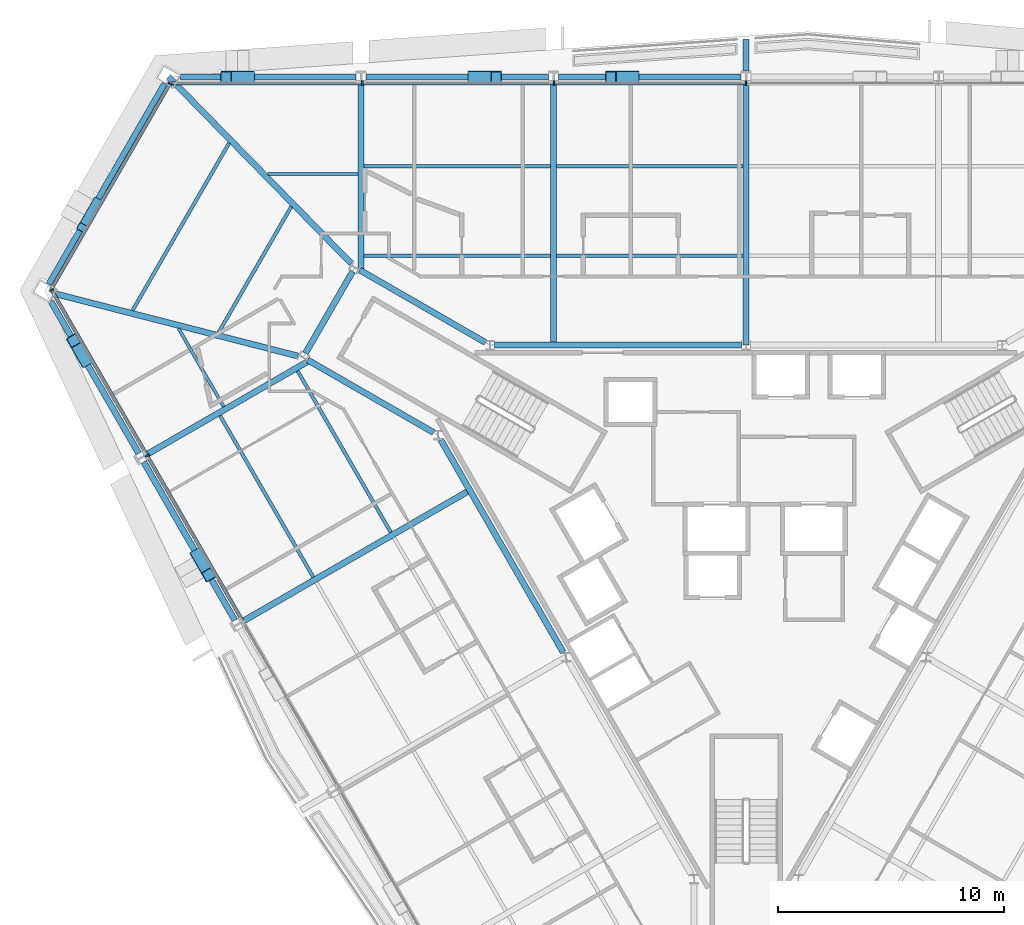
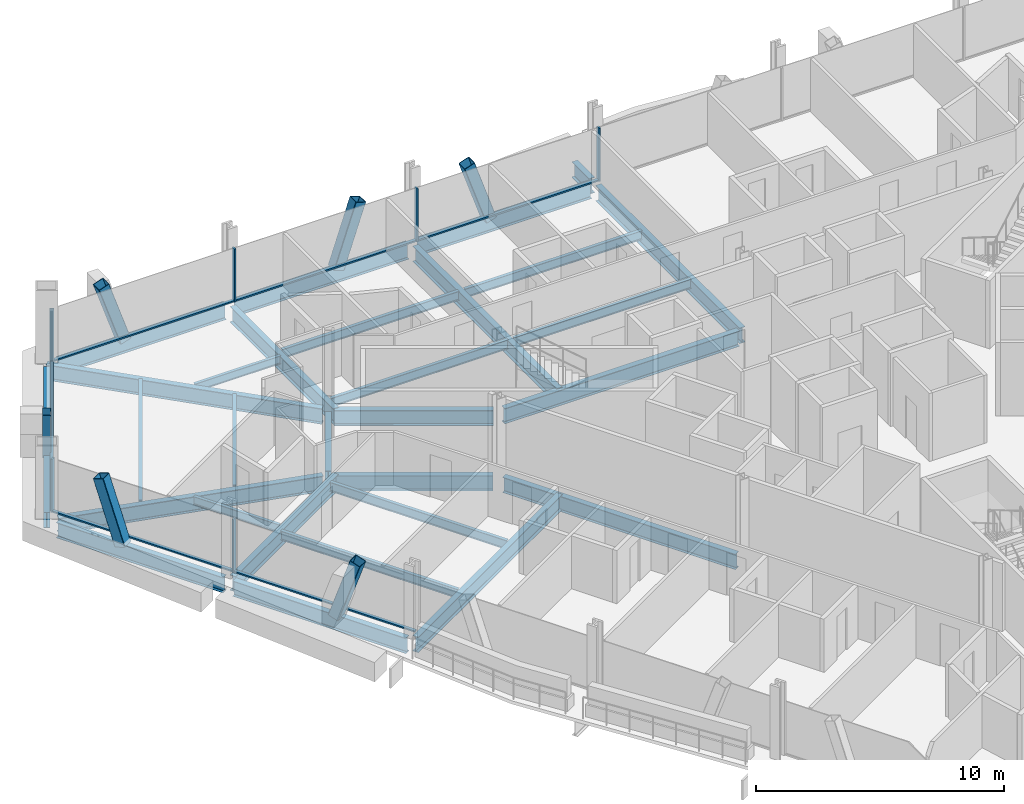
# One storey, part 5 of 17: 29 beams, 18 members, 3 elements without a shape of their own.
"""IFC4 building model written with IfcOpenShell, lengths in metres."""

import ifcopenshell
import ifcopenshell.guid

model = None  # the IFC model being written
_history = None  # IfcOwnerHistory: only IFC2X3 demands one
_inside = {}  # id of a spatial element -> (the spatial element, [elements in it])
_under = {}  # id of a project, library or spatial element -> (it, [spatial elements below it])
_declared = {}  # id of a project -> (the project, [libraries it declares])
_typed = {}  # id of a type object -> (the type object, [elements of that type])
_made_of = {}  # id of a material, layer set ... -> (it, [elements and type objects made of it])


def new_model(schema):
    """Start an empty IFC model of exactly this schema.

    Asked for "IFC4X3", IfcOpenShell would pick the latest addendum, in which some entities
    have other attributes; the version numbers below select the first issue.
    IFC2X3 requires an IfcOwnerHistory on every rooted entity: one is made here for all.
    """
    global model, _history
    if schema == "IFC4X3":
        model = ifcopenshell.file(schema_version=(4, 3, 0, 0))
    else:
        model = ifcopenshell.file(schema=schema)
    _inside.clear()
    _under.clear()
    _declared.clear()
    _typed.clear()
    _made_of.clear()
    _history = None
    if model.schema == "IFC2X3":
        org = make("IfcOrganization", Name="unknown")
        user = make(
            "IfcPersonAndOrganization",
            ThePerson=make("IfcPerson", FamilyName="unknown"),
            TheOrganization=org,
        )
        app = make(
            "IfcApplication",
            ApplicationDeveloper=org,
            Version="unknown",
            ApplicationFullName="unknown",
            ApplicationIdentifier="unknown",
        )
        _history = make(
            "IfcOwnerHistory",
            OwningUser=user,
            OwningApplication=app,
            ChangeAction="ADDED",
            CreationDate=0,
        )
    return model


def make(cls, **values):
    """One entity of the class cls with the attributes given. An attribute that is None is left unset."""
    return model.create_entity(
        cls, **{name: value for name, value in values.items() if value is not None}
    )


def rooted(cls, **values):
    """An entity with a GlobalId (a new one), such as an element, a storey or a relation."""
    return make(cls, GlobalId=ifcopenshell.guid.new(), OwnerHistory=_history, **values)


def si_unit(unit_type, name, prefix=None):
    """IfcSIUnit, for example si_unit("LENGTHUNIT", "METRE", prefix="MILLI")."""
    return make("IfcSIUnit", UnitType=unit_type, Prefix=prefix, Name=name)


def assignment(units):
    """IfcUnitAssignment: the units of a project."""
    return None if units is None else make("IfcUnitAssignment", Units=units)


def point(xyz):
    """IfcCartesianPoint."""
    return None if xyz is None else make("IfcCartesianPoint", Coordinates=xyz)


def direction(xyz):
    """IfcDirection."""
    return None if xyz is None else make("IfcDirection", DirectionRatios=xyz)


def frame(location, z_axis=None, x_axis=None):
    """IfcAxis2Placement3D, a coordinate frame: its origin and axes. An axis left out is left unset."""
    return make(
        "IfcAxis2Placement3D",
        Location=point(location),
        Axis=direction(z_axis),
        RefDirection=direction(x_axis),
    )


def frame_2d(location, x_axis=None):
    """IfcAxis2Placement2D, a coordinate frame in the plane: its origin and x axis."""
    return make(
        "IfcAxis2Placement2D", Location=point(location), RefDirection=direction(x_axis)
    )


def origin():
    """The frame at (0, 0, 0) with its axes left unset."""
    return frame((0.0, 0.0, 0.0))


def origin_2d():
    """The frame at (0, 0) in the plane with its x axis left unset."""
    return frame_2d((0.0, 0.0))


def place(relative_to, where):
    """IfcLocalPlacement: puts the frame where relative to a parent placement (None: the world)."""
    return make(
        "IfcLocalPlacement", PlacementRelTo=relative_to, RelativePlacement=where
    )


def context(
    kind, dimensions, precision=None, world=None, true_north=None, identifier=None
):
    """IfcGeometricRepresentationContext, for example the 3D "Model" context."""
    return make(
        "IfcGeometricRepresentationContext",
        ContextIdentifier=identifier,
        ContextType=kind,
        CoordinateSpaceDimension=dimensions,
        Precision=precision,
        WorldCoordinateSystem=world,
        TrueNorth=true_north,
    )


def subcontext(parent, identifier, kind, view, scale=None):
    """IfcGeometricRepresentationSubContext, for example "Body" below "Model"."""
    return make(
        "IfcGeometricRepresentationSubContext",
        ContextIdentifier=identifier,
        ContextType=kind,
        ParentContext=parent,
        TargetScale=scale,
        TargetView=view,
    )


def project(units=None, contexts=None):
    """IfcProject with its units and contexts."""
    return rooted(
        "IfcProject",
        Name="project",
        RepresentationContexts=contexts,
        UnitsInContext=assignment(units),
    )


def spatial(cls, under=None, at=None, **own):
    """A site, building, storey or space (cls), placed at a placement, below another one or the project."""
    s = rooted(cls, ObjectPlacement=at, **own)
    if under is not None:
        _under.setdefault(under.id(), (under, []))[1].append(s)
    return s


def profile(cls, at=None, kind="AREA", **sizes):
    """A parametric profile (cls). Its sizes go by their IFC names, for example OverallWidth=200.0."""
    return make(cls, ProfileType=kind, Position=at, **sizes)


def rectangle(**sizes):
    """IfcRectangleProfileDef."""
    return profile("IfcRectangleProfileDef", **sizes)


def hollow_rectangle(**sizes):
    """IfcRectangleHollowProfileDef."""
    return profile("IfcRectangleHollowProfileDef", **sizes)


def i_section(**sizes):
    """IfcIShapeProfileDef."""
    return profile("IfcIShapeProfileDef", **sizes)


def extrude(swept, where, along, depth):
    """IfcExtrudedAreaSolid: the profile swept, set in the frame where, extruded along a direction by depth."""
    return make(
        "IfcExtrudedAreaSolid",
        SweptArea=swept,
        Position=where,
        ExtrudedDirection=direction(along),
        Depth=depth,
    )


def shape(context_of_items, identifier, shape_type, items):
    """IfcShapeRepresentation: the items that make up one representation, for example the "Body"."""
    return make(
        "IfcShapeRepresentation",
        ContextOfItems=context_of_items,
        RepresentationIdentifier=identifier,
        RepresentationType=shape_type,
        Items=items,
    )


def material(Name=None, Category=None):
    """IfcMaterial."""
    return make("IfcMaterial", Name=Name, Category=Category)


def material_profile(
    of_material, cross_section, Name=None, Category=None, Priority=None
):
    """IfcMaterialProfile: a cross section and its material."""
    return make(
        "IfcMaterialProfile",
        Name=Name,
        Material=of_material,
        Profile=cross_section,
        Priority=Priority,
        Category=Category,
    )


def profile_set(profiles, Name=None, composite=None):
    """IfcMaterialProfileSet."""
    return make(
        "IfcMaterialProfileSet",
        Name=Name,
        MaterialProfiles=profiles,
        CompositeProfile=composite,
    )


def made_of(thing, what):
    """Note that an element or type object is made of a material, layer set ...; save() writes the relation."""
    if what is not None:
        _made_of.setdefault(what.id(), (what, []))[1].append(thing)
    return thing


def type_object(cls, material=None, **own):
    """A type object (cls), such as IfcWallType, which elements share."""
    return made_of(rooted(cls, **own), material)


def element(
    cls,
    number,
    at=None,
    inside=None,
    cuts=None,
    type_object=None,
    material=None,
    context=None,
    identifier="Body",
    shape_type=None,
    held_by="IfcProductDefinitionShape",
    body=None,
    shapes=None,
    **own,
):
    """One element of the class cls, such as IfcWall. Its Tag is "e" and its number.

    at: its placement. inside: the storey or other place that contains it. cuts: it is an
    opening in that element (IfcRelVoidsElement). A single representation is given by context,
    identifier, shape_type and body (its items); several are given by shapes. held_by: the class
    of the entity that holds the representations. save() writes the other relations.
    """
    e = rooted(cls, Tag="e%d" % number, ObjectPlacement=at, **own)
    if body is not None:
        shapes = [shape(context, identifier, shape_type, body)]
    if shapes is not None:
        e.Representation = make(held_by, Representations=shapes)
    if inside is not None:
        _inside.setdefault(inside.id(), (inside, []))[1].append(e)
    if cuts is not None:
        rooted(
            "IfcRelVoidsElement", RelatingBuildingElement=cuts, RelatedOpeningElement=e
        )
    if type_object is not None:
        _typed.setdefault(type_object.id(), (type_object, []))[1].append(e)
    return made_of(e, material)


def aggregate(whole, parts):
    """IfcRelAggregates: a whole, such as a stair, and the parts it consists of."""
    return rooted("IfcRelAggregates", RelatingObject=whole, RelatedObjects=parts)


def save(model, path):
    """Write the relations noted so far, then the file.

    IfcRelAggregates (storeys below a building ...), IfcRelContainedInSpatialStructure (elements
    in a storey), IfcRelDefinesByType, IfcRelAssociatesMaterial and IfcRelDeclares: one each for
    every whole, place, type object, material and project.
    """
    for whole, parts in _under.values():
        aggregate(whole, parts)
    for where, things in _inside.values():
        rooted(
            "IfcRelContainedInSpatialStructure",
            RelatedElements=things,
            RelatingStructure=where,
        )
    for kind, things in _typed.values():
        rooted("IfcRelDefinesByType", RelatedObjects=things, RelatingType=kind)
    for what, things in _made_of.values():
        rooted("IfcRelAssociatesMaterial", RelatedObjects=things, RelatingMaterial=what)
    for by, libraries in _declared.values():
        rooted("IfcRelDeclares", RelatingContext=by, RelatedDefinitions=libraries)
    model.write(path)


model = new_model("IFC4")

# Units and contexts
model_context = context("Model", 3, precision=1e-05, world=origin(), true_north=direction((0.0, 1.0)))
body_context = subcontext(model_context, "Body", "Model", "MODEL_VIEW")
ifc_project = project(units=[si_unit("LENGTHUNIT", "METRE"), si_unit("AREAUNIT", "SQUARE_METRE"), si_unit("VOLUMEUNIT", "CUBIC_METRE"), si_unit("PLANEANGLEUNIT", "RADIAN"), si_unit("MASSUNIT", "GRAM", prefix="KILO")], contexts=[model_context])

# Site, building, storey
site_placement = place(None, origin())
site = spatial("IfcSite", under=ifc_project, at=site_placement, CompositionType="ELEMENT")
building_placement = place(site_placement, origin())
building = spatial("IfcBuilding", under=site, at=building_placement, Name="Verrane Prism Tower", CompositionType="ELEMENT")
storey_placement = place(building_placement, frame((0.0, 0.0, 51.199951171875)))
storey = spatial("IfcBuildingStorey", under=building, at=storey_placement, Name="L10", CompositionType="ELEMENT", Elevation=51.199951171875)

# Member
ifc_material_1 = material(Name="Steel A500 Grade C", Category="steel")
ifc_material_profile_1 = material_profile(ifc_material_1, hollow_rectangle(XDim=0.355712890625, YDim=0.355712890625, WallThickness=0.0126953125, InnerFilletRadius=0.00634765625, OuterFilletRadius=0.01904296875, at=origin_2d()), Name="HSS14x14x1/2")
ifc_profile_set_1 = profile_set([ifc_material_profile_1], Name="Steel A500 Grade C")
member_type_1 = type_object("IfcMemberType", Name="Chamfer brace HSS14x14x1/2", PredefinedType="BRACE", material=ifc_profile_set_1)
member_1_placement = place(storey_placement, frame((-28.740478515625, 15.54052734375, -0.2451171875), z_axis=(-0.199091567031, -0.34501748339, 0.917237964812), x_axis=(0.866138836121, -0.499803477943, 0.0)))
element("IfcMember", 1, at=member_1_placement, inside=storey, type_object=member_type_1, Name="Chamfer brace NW0 L10", PredefinedType="BRACE", context=body_context, shape_type="SweptSolid", body=[
    extrude(hollow_rectangle(XDim=0.355712890625, YDim=0.355712890625, WallThickness=0.0126953125, InnerFilletRadius=0.00634765625, OuterFilletRadius=0.01904296875, at=origin_2d()), origin(), (0.0, 0.0, 1.0), 3.274169921875),
])

# Beams
ifc_material_2 = material(Name="Steel A992", Category="steel")
ifc_material_profile_2 = material_profile(ifc_material_2, i_section(OverallWidth=0.2666015625, OverallDepth=0.76708984375, WebThickness=0.014892578125, FlangeThickness=0.023681640625, FilletRadius=0.0166015625, at=origin_2d()), Name="W30x124")
ifc_profile_set_2 = profile_set([ifc_material_profile_2], Name="Steel A992")
beam_type_1 = type_object("IfcBeamType", Name="Chamfer spandrel beam W30x124", PredefinedType="SPANDREL", material=ifc_profile_set_2)
beam_1_placement = place(storey_placement, frame((-25.724853515625, 20.766845703125, -0.54345703125), z_axis=(-0.499796720239, -0.866142735603, 0.0), x_axis=(0.866142735603, -0.499796720239, 0.0)))
element("IfcBeam", 2, at=beam_1_placement, inside=storey, type_object=beam_type_1, Name="Chamfer spandrel beam L10", PredefinedType="SPANDREL", context=body_context, shape_type="SweptSolid", body=[
    extrude(i_section(OverallWidth=0.2666015625, OverallDepth=0.76708984375, WebThickness=0.014892578125, FlangeThickness=0.023681640625, FilletRadius=0.0166015625, at=origin_2d()), origin(), (0.0, 0.0, 1.0), 10.244873046875),
])
ifc_material_3 = material(Name="Steel A992", Category="steel")
ifc_material_profile_3 = material_profile(ifc_material_3, i_section(OverallWidth=0.2666015625, OverallDepth=0.7568359375, WebThickness=0.013916015625, FlangeThickness=0.019287109375, FilletRadius=0.0166015625, at=origin_2d()), Name="W30x108")
ifc_profile_set_3 = profile_set([ifc_material_profile_3], Name="Steel A992")
beam_type_2 = type_object("IfcBeamType", Name="Core ring girder W30x108", PredefinedType="BEAM", material=ifc_profile_set_3)
beam_2_placement = place(storey_placement, frame((-0.203125, 9.199951171875, -0.62841796875), z_axis=(-1.0, 0.0, 0.0), x_axis=(0.0, -1.0, 0.0)))
element("IfcBeam", 3, at=beam_2_placement, inside=storey, type_object=beam_type_2, Name="Core ring girder L10", PredefinedType="BEAM", context=body_context, shape_type="SweptSolid", body=[
    extrude(i_section(OverallWidth=0.2666015625, OverallDepth=0.7568359375, WebThickness=0.013916015625, FlangeThickness=0.019287109375, FilletRadius=0.0166015625, at=origin_2d()), origin(), (0.0, 0.0, 1.0), 10.923583984375),
])
beam_3_placement = place(storey_placement, frame((-11.533203125, 9.317138671875, -0.62841796875), z_axis=(-0.866447229751, 0.499268663203, 0.0), x_axis=(-0.499268663203, -0.866447229751, 0.0)))
element("IfcBeam", 4, at=beam_3_placement, inside=storey, type_object=beam_type_2, Name="Core ring girder L10", PredefinedType="BEAM", context=body_context, shape_type="SweptSolid", body=[
    extrude(i_section(OverallWidth=0.2666015625, OverallDepth=0.7568359375, WebThickness=0.013916015625, FlangeThickness=0.019287109375, FilletRadius=0.0166015625, at=origin_2d()), origin(), (0.0, 0.0, 1.0), 6.428466796875),
])
beam_4_placement = place(storey_placement, frame((-17.40478515625, 12.45849609375, -0.62841796875), z_axis=(-0.500349643494, -0.865823442888, 0.0), x_axis=(0.865823442888, -0.500349643494, 0.0)))
element("IfcBeam", 5, at=beam_4_placement, inside=storey, type_object=beam_type_2, Name="Core ring girder L10", PredefinedType="BEAM", context=body_context, shape_type="SweptSolid", body=[
    extrude(i_section(OverallWidth=0.2666015625, OverallDepth=0.7568359375, WebThickness=0.013916015625, FlangeThickness=0.019287109375, FilletRadius=0.0166015625, at=origin_2d()), origin(), (0.0, 0.0, 1.0), 4.177734375),
])
beam_5_placement = place(storey_placement, frame((-19.403076171875, 8.54638671875, -0.62841796875), z_axis=(0.86646365882, -0.499240150574, 0.0), x_axis=(0.499240150574, 0.86646365882, 0.0)))
element("IfcBeam", 6, at=beam_5_placement, inside=storey, type_object=beam_type_2, Name="Core ring girder L10", PredefinedType="BEAM", context=body_context, shape_type="SweptSolid", body=[
    extrude(i_section(OverallWidth=0.2666015625, OverallDepth=0.7568359375, WebThickness=0.013916015625, FlangeThickness=0.019287109375, FilletRadius=0.0166015625, at=origin_2d()), origin(), (0.0, 0.0, 1.0), 6.42822265625),
])
beam_6_placement = place(storey_placement, frame((-13.510009765625, 5.01171875, -0.62841796875), z_axis=(0.499371892062, -0.866387738498, 0.0), x_axis=(0.866387738498, 0.499371892062, 0.0)))
element("IfcBeam", 7, at=beam_6_placement, inside=storey, type_object=beam_type_2, Name="Core ring girder L10", PredefinedType="BEAM", context=body_context, shape_type="SweptSolid", body=[
    extrude(i_section(OverallWidth=0.2666015625, OverallDepth=0.7568359375, WebThickness=0.013916015625, FlangeThickness=0.019287109375, FilletRadius=0.0166015625, at=origin_2d()), origin(), (0.0, 0.0, 1.0), 10.853515625),
])
ifc_material_4 = material(Name="Steel A992", Category="steel")
ifc_material_profile_4 = material_profile(ifc_material_4, i_section(OverallWidth=0.2666015625, OverallDepth=0.76708984375, WebThickness=0.014892578125, FlangeThickness=0.023681640625, FilletRadius=0.0166015625, at=origin_2d()), Name="W30x124")
ifc_profile_set_4 = profile_set([ifc_material_profile_4], Name="Steel A992")
beam_type_3 = type_object("IfcBeamType", Name="Corner girder W30x124", PredefinedType="BEAM", material=ifc_profile_set_4)
beam_7_placement = place(storey_placement, frame((-25.548828125, 21.06884765625, -0.603515625), z_axis=(0.699429302474, -0.714701791547, 0.0), x_axis=(0.714701791547, 0.699429302474, 0.0)))
element("IfcBeam", 8, at=beam_7_placement, inside=storey, type_object=beam_type_3, Name="Corner girder L10", PredefinedType="BEAM", context=body_context, shape_type="SweptSolid", body=[
    extrude(i_section(OverallWidth=0.2666015625, OverallDepth=0.76708984375, WebThickness=0.014892578125, FlangeThickness=0.023681640625, FilletRadius=0.0166015625, at=origin_2d()), origin(), (0.0, 0.0, 1.0), 11.5576171875),
])
beam_8_placement = place(storey_placement, frame((-30.5673828125, 11.473876953125, -0.603515625), z_axis=(0.968629214838, -0.248510450813, 0.0), x_axis=(0.248510450813, 0.968629214838, 0.0)))
element("IfcBeam", 9, at=beam_8_placement, inside=storey, type_object=beam_type_3, Name="Corner girder L10", PredefinedType="BEAM", context=body_context, shape_type="SweptSolid", body=[
    extrude(i_section(OverallWidth=0.2666015625, OverallDepth=0.76708984375, WebThickness=0.014892578125, FlangeThickness=0.023681640625, FilletRadius=0.0166015625, at=origin_2d()), origin(), (0.0, 0.0, 1.0), 11.086669921875),
])

# Members
ifc_material_5 = material(Name="Steel A1085 Grade A", Category="steel")
ifc_material_profile_5 = material_profile(ifc_material_5, hollow_rectangle(XDim=0.508056640625, YDim=0.508056640625, WallThickness=0.025390625, InnerFilletRadius=0.0126953125, OuterFilletRadius=0.0380859375, at=origin_2d()), Name="HSS20x20x1")
ifc_profile_set_5 = profile_set([ifc_material_profile_5], Name="Steel A1085 Grade A")
member_type_2 = type_object("IfcMemberType", Name="Facade brace HSS20x20x1", PredefinedType="BRACE", material=ifc_profile_set_5)
member_2_placement = place(storey_placement, frame((-4.968505859375, 21.070068359375, -0.242431640625), z_axis=(-0.320307489598, 0.0, 0.947313629221), x_axis=(0.0, -1.0, 0.0)))
element("IfcMember", 10, at=member_2_placement, inside=storey, type_object=member_type_2, Name="Facade brace N3 L10", PredefinedType="BRACE", context=body_context, shape_type="SweptSolid", body=[
    extrude(hollow_rectangle(XDim=0.508056640625, YDim=0.508056640625, WallThickness=0.025390625, InnerFilletRadius=0.0126953125, OuterFilletRadius=0.0380859375, at=origin_2d()), origin(), (0.0, 0.0, 1.0), 3.17529296875),
])
member_3_placement = place(storey_placement, frame((-12.067138671875, 21.070068359375, -0.242431640625), z_axis=(0.319893410913, 0.0, 0.947453537465), x_axis=(0.0, 1.0, 0.0)))
element("IfcMember", 11, at=member_3_placement, inside=storey, type_object=member_type_2, Name="Facade brace N4 L10", PredefinedType="BRACE", context=body_context, shape_type="SweptSolid", body=[
    extrude(hollow_rectangle(XDim=0.508056640625, YDim=0.508056640625, WallThickness=0.025390625, InnerFilletRadius=0.0126953125, OuterFilletRadius=0.0380859375, at=origin_2d()), origin(), (0.0, 0.0, 1.0), 3.1748046875),
])
member_4_placement = place(storey_placement, frame((-21.99853515625, 21.070068359375, -0.242431640625), z_axis=(-0.320307489598, 0.0, 0.947313629221), x_axis=(0.0, -1.0, 0.0)))
element("IfcMember", 12, at=member_4_placement, inside=storey, type_object=member_type_2, Name="Facade brace N5 L10", PredefinedType="BRACE", context=body_context, shape_type="SweptSolid", body=[
    extrude(hollow_rectangle(XDim=0.508056640625, YDim=0.508056640625, WallThickness=0.025390625, InnerFilletRadius=0.0126953125, OuterFilletRadius=0.0380859375, at=origin_2d()), origin(), (0.0, 0.0, 1.0), 3.17529296875),
])
member_5_placement = place(storey_placement, frame((-29.244384765625, 8.51806640625, -0.242431640625), z_axis=(-0.160095420092, 0.277052737076, 0.947423473081), x_axis=(-0.865837313025, -0.500325641332, 0.0)))
element("IfcMember", 13, at=member_5_placement, inside=storey, type_object=member_type_2, Name="Facade brace SW0 L10", PredefinedType="BRACE", context=body_context, shape_type="SweptSolid", body=[
    extrude(hollow_rectangle(XDim=0.508056640625, YDim=0.508056640625, WallThickness=0.025390625, InnerFilletRadius=0.0126953125, OuterFilletRadius=0.0380859375, at=origin_2d()), origin(), (0.0, 0.0, 1.0), 3.175048828125),
])
member_6_placement = place(storey_placement, frame((-24.281494140625, -0.083740234375, -0.242431640625), z_axis=(0.159775260557, -0.277492259553, 0.947348886104), x_axis=(0.866613017302, 0.498980839555, 0.0)))
element("IfcMember", 14, at=member_6_placement, inside=storey, type_object=member_type_2, Name="Facade brace SW1 L10", PredefinedType="BRACE", context=body_context, shape_type="SweptSolid", body=[
    extrude(hollow_rectangle(XDim=0.508056640625, YDim=0.508056640625, WallThickness=0.025390625, InnerFilletRadius=0.0126953125, OuterFilletRadius=0.0380859375, at=origin_2d()), origin(), (0.0, 0.0, 1.0), 3.17529296875),
])

# Beams
ifc_material_6 = material(Name="Steel A992", Category="steel")
ifc_material_profile_6 = material_profile(ifc_material_6, i_section(OverallWidth=0.140380859375, OverallDepth=0.40380859375, WebThickness=0.007080078125, FlangeThickness=0.01123046875, FilletRadius=0.01025390625, at=origin_2d()), Name="W16x31")
ifc_profile_set_6 = profile_set([ifc_material_profile_6], Name="Steel A992")
beam_type_4 = type_object("IfcBeamType", Name="Floor beam W16x31", PredefinedType="BEAM", material=ifc_profile_set_6)
beam_9_placement = place(storey_placement, frame((-21.159912109375, 16.77490234375, -0.36181640625), z_axis=(1.0, 0.0, 0.0), x_axis=(0.0, 1.0, 0.0)))
element("IfcBeam", 15, at=beam_9_placement, inside=storey, type_object=beam_type_4, Name="Floor beam L10", PredefinedType="BEAM", context=body_context, shape_type="SweptSolid", body=[
    extrude(i_section(OverallWidth=0.140380859375, OverallDepth=0.40380859375, WebThickness=0.007080078125, FlangeThickness=0.01123046875, FilletRadius=0.01025390625, at=origin_2d()), origin(), (0.0, 0.0, 1.0), 3.996337890625),
])
beam_10_placement = place(storey_placement, frame((-23.113525390625, 6.4794921875, -0.36181640625), z_axis=(-0.500001357645, 0.866024619946, 0.0), x_axis=(-0.866024619946, -0.500001357645, 0.0)))
element("IfcBeam", 16, at=beam_10_placement, inside=storey, type_object=beam_type_4, Name="Floor beam L10", PredefinedType="BEAM", context=body_context, shape_type="SweptSolid", body=[
    extrude(i_section(OverallWidth=0.140380859375, OverallDepth=0.40380859375, WebThickness=0.007080078125, FlangeThickness=0.01123046875, FilletRadius=0.01025390625, at=origin_2d()), origin(), (0.0, 0.0, 1.0), 3.99072265625),
])
ifc_material_7 = material(Name="Steel A992", Category="steel")
ifc_material_profile_7 = material_profile(ifc_material_7, i_section(OverallWidth=0.15234375, OverallDepth=0.449462890625, WebThickness=0.007568359375, FlangeThickness=0.0107421875, FilletRadius=0.01025390625, at=origin_2d()), Name="W18x35")
ifc_profile_set_7 = profile_set([ifc_material_profile_7], Name="Steel A992")
beam_type_5 = type_object("IfcBeamType", Name="Floor beam W18x35", PredefinedType="BEAM", material=ifc_profile_set_7)
for number, where, z_axis, x_axis, name in (
    (17, (-8.386474609375, 13.15673828125, -0.384765625), (1.0, 0.0, 0.0), (0.0, 1.0, 0.0), "Floor beam L10"),
    (18, (-8.386474609375, 17.11328125, -0.384765625), (1.0, 0.0, 0.0), (0.0, 1.0, 0.0), "Floor beam L10"),
):
    element("IfcBeam", number, at=place(storey_placement, frame(where, z_axis=z_axis, x_axis=x_axis)), inside=storey, type_object=beam_type_5, Name=name, PredefinedType="BEAM", context=body_context, shape_type="SweptSolid", body=[
        extrude(i_section(OverallWidth=0.15234375, OverallDepth=0.449462890625, WebThickness=0.007568359375, FlangeThickness=0.0107421875, FilletRadius=0.01025390625, at=origin_2d()), origin(), (0.0, 0.0, 1.0), 8.2529296875),
    ])
for number, where, z_axis, x_axis, name in (
    (19, (-16.896484375, 13.15673828125, -0.384765625), (1.0, 0.0, 0.0), (0.0, 1.0, 0.0), "Floor beam L10"),
    (20, (-16.896484375, 17.11328125, -0.384765625), (1.0, 0.0, 0.0), (0.0, 1.0, 0.0), "Floor beam L10"),
):
    element("IfcBeam", number, at=place(storey_placement, frame(where, z_axis=z_axis, x_axis=x_axis)), inside=storey, type_object=beam_type_5, Name=name, PredefinedType="BEAM", context=body_context, shape_type="SweptSolid", body=[
        extrude(i_section(OverallWidth=0.15234375, OverallDepth=0.449462890625, WebThickness=0.007568359375, FlangeThickness=0.0107421875, FilletRadius=0.01025390625, at=origin_2d()), origin(), (0.0, 0.0, 1.0), 8.242919921875),
    ])
beam_11_placement = place(storey_placement, frame((-15.716796875, 0.91552734375, -0.384765625), z_axis=(-0.499996545922, 0.866027397988, 0.0), x_axis=(-0.866027397988, -0.499996545922, 0.0)))
element("IfcBeam", 21, at=beam_11_placement, inside=storey, type_object=beam_type_5, Name="Floor beam L10", PredefinedType="BEAM", context=body_context, shape_type="SweptSolid", body=[
    extrude(i_section(OverallWidth=0.15234375, OverallDepth=0.449462890625, WebThickness=0.007568359375, FlangeThickness=0.0107421875, FilletRadius=0.01025390625, at=origin_2d()), origin(), (0.0, 0.0, 1.0), 8.25),
])
beam_12_placement = place(storey_placement, frame((-19.146728515625, -1.064453125, -0.384765625), z_axis=(-0.499987164874, 0.866032814021, 0.0), x_axis=(-0.866032814021, -0.499987164874, 0.0)))
element("IfcBeam", 22, at=beam_12_placement, inside=storey, type_object=beam_type_5, Name="Floor beam L10", PredefinedType="BEAM", context=body_context, shape_type="SweptSolid", body=[
    extrude(i_section(OverallWidth=0.15234375, OverallDepth=0.449462890625, WebThickness=0.007568359375, FlangeThickness=0.0107421875, FilletRadius=0.01025390625, at=origin_2d()), origin(), (0.0, 0.0, 1.0), 8.249755859375),
])
beam_13_placement = place(storey_placement, frame((-23.337158203125, 9.756591796875, -0.384765625), z_axis=(0.49999063097, 0.866030812929, 0.0), x_axis=(-0.866030812929, 0.49999063097, 0.0)))
element("IfcBeam", 23, at=beam_13_placement, inside=storey, type_object=beam_type_5, Name="Floor beam L10", PredefinedType="BEAM", context=body_context, shape_type="SweptSolid", body=[
    extrude(i_section(OverallWidth=0.15234375, OverallDepth=0.449462890625, WebThickness=0.007568359375, FlangeThickness=0.0107421875, FilletRadius=0.01025390625, at=origin_2d()), origin(), (0.0, 0.0, 1.0), 6.435546875),
])
beam_14_placement = place(storey_placement, frame((-27.145263671875, 10.733642578125, -0.384765625), z_axis=(0.499989342298, 0.866031556924, 0.0), x_axis=(-0.866031556924, 0.499989342298, 0.0)))
element("IfcBeam", 24, at=beam_14_placement, inside=storey, type_object=beam_type_5, Name="Floor beam L10", PredefinedType="BEAM", context=body_context, shape_type="SweptSolid", body=[
    extrude(i_section(OverallWidth=0.15234375, OverallDepth=0.449462890625, WebThickness=0.007568359375, FlangeThickness=0.0107421875, FilletRadius=0.01025390625, at=origin_2d()), origin(), (0.0, 0.0, 1.0), 8.552001953125),
])

# Curtain wall, members
ifc_material_8 = material(Name="Aluminium framed insulated glazing", Category="aluminium")
curtain_wall_type = type_object("IfcCurtainWallType", Name="Curtain wall CW-A 8400 module", PredefinedType="NOTDEFINED", material=ifc_material_8)
curtain_wall_1_placement = place(storey_placement, origin())
curtain_wall_1 = element("IfcCurtainWall", 25, at=curtain_wall_1_placement, inside=storey, type_object=curtain_wall_type, Name="Glazed curtain wall north face L10", PredefinedType="NOTDEFINED")
ifc_material_9 = material(Name="Aluminium alloy 6063-T6", Category="aluminium")
ifc_material_profile_8 = material_profile(ifc_material_9, rectangle(XDim=0.199951171875, YDim=0.070068359375, at=origin_2d()), Name="Mullion 70x200 aluminium")
ifc_profile_set_8 = profile_set([ifc_material_profile_8], Name="Aluminium alloy 6063-T6")
member_type_3 = type_object("IfcMemberType", Name="Mullion 70x200 aluminium", PredefinedType="MULLION", material=ifc_profile_set_8)
member_7_placement = place(storey_placement, frame((0.0, 20.791015625, 0.0), z_axis=(0.0, 0.0, 1.0), x_axis=(0.0, -1.0, 0.0)))
member_7 = element("IfcMember", 26, at=member_7_placement, type_object=member_type_3, Name="CW09.2 mullion 4", PredefinedType="MULLION", context=body_context, shape_type="SweptSolid", body=[
    extrude(rectangle(XDim=0.199951171875, YDim=0.070068359375, at=origin_2d()), origin(), (0.0, 0.0, 1.0), 2.613037109375),
])
member_8_placement = place(storey_placement, frame((-8.49169921875, 20.791015625, 0.0), z_axis=(0.0, 0.0, 1.0), x_axis=(0.0, -1.0, 0.0)))
member_8 = element("IfcMember", 27, at=member_8_placement, type_object=member_type_3, Name="CW09.2 mullion 5", PredefinedType="MULLION", context=body_context, shape_type="SweptSolid", body=[
    extrude(rectangle(XDim=0.199951171875, YDim=0.070068359375, at=origin_2d()), origin(), (0.0, 0.0, 1.0), 2.613037109375),
])
member_9_placement = place(storey_placement, frame((-16.9833984375, 20.791015625, 0.0), z_axis=(0.0, 0.0, 1.0), x_axis=(0.0, -1.0, 0.0)))
member_9 = element("IfcMember", 28, at=member_9_placement, type_object=member_type_3, Name="CW09.2 mullion 6", PredefinedType="MULLION", context=body_context, shape_type="SweptSolid", body=[
    extrude(rectangle(XDim=0.199951171875, YDim=0.070068359375, at=origin_2d()), origin(), (0.0, 0.0, 1.0), 2.613037109375),
])

# Curtain wall, member
curtain_wall_2_placement = place(storey_placement, origin())
curtain_wall_2 = element("IfcCurtainWall", 29, at=curtain_wall_2_placement, inside=storey, type_object=curtain_wall_type, Name="Glazed curtain wall north-west corner L10", PredefinedType="NOTDEFINED")
member_10_placement = place(storey_placement, frame((-25.49267578125, 20.7607421875, 0.0), z_axis=(0.0, 0.0, 1.0), x_axis=(0.866026104978, -0.499998785495, 0.0)))
member_10 = element("IfcMember", 30, at=member_10_placement, type_object=member_type_3, Name="CW09.3 mullion 1", PredefinedType="MULLION", context=body_context, shape_type="SweptSolid", body=[
    extrude(rectangle(XDim=0.199951171875, YDim=0.070068359375, at=origin_2d()), origin(), (0.0, 0.0, 1.0), 2.613037109375),
])

# Curtain wall, members
curtain_wall_3_placement = place(storey_placement, origin())
curtain_wall_3 = element("IfcCurtainWall", 31, at=curtain_wall_3_placement, inside=storey, type_object=curtain_wall_type, Name="Glazed curtain wall south-west face L10", PredefinedType="NOTDEFINED")
member_11_placement = place(storey_placement, frame((-30.7255859375, 11.636474609375, 0.0), z_axis=(0.0, 0.0, 1.0), x_axis=(0.866025694591, 0.499999496308, 0.0)))
member_11 = element("IfcMember", 32, at=member_11_placement, type_object=member_type_3, Name="CW09.4 mullion 1", PredefinedType="MULLION", context=body_context, shape_type="SweptSolid", body=[
    extrude(rectangle(XDim=0.199951171875, YDim=0.070068359375, at=origin_2d()), origin(), (0.0, 0.0, 1.0), 2.613037109375),
])
member_12_placement = place(storey_placement, frame((-26.497314453125, 4.312744140625, 0.0), z_axis=(0.0, 0.0, 1.0), x_axis=(0.866025694591, 0.499999496308, 0.0)))
member_12 = element("IfcMember", 33, at=member_12_placement, type_object=member_type_3, Name="CW09.4 mullion 2", PredefinedType="MULLION", context=body_context, shape_type="SweptSolid", body=[
    extrude(rectangle(XDim=0.199951171875, YDim=0.070068359375, at=origin_2d()), origin(), (0.0, 0.0, 1.0), 2.613037109375),
])

# Beams
ifc_material_10 = material(Name="Steel A992", Category="steel")
ifc_material_profile_9 = material_profile(ifc_material_10, i_section(OverallWidth=0.2666015625, OverallDepth=0.76708984375, WebThickness=0.014892578125, FlangeThickness=0.023681640625, FilletRadius=0.0166015625, at=origin_2d()), Name="W30x124")
ifc_profile_set_9 = profile_set([ifc_material_profile_9], Name="Steel A992")
beam_type_6 = type_object("IfcBeamType", Name="Radial girder W30x124", PredefinedType="BEAM", material=ifc_profile_set_9)
for number, where, z_axis, x_axis, name in (
    (34, (0.0, 20.8046875, -0.603515625), (0.0, -1.0, 0.0), (1.0, 0.0, 0.0), "Radial girder L10"),
    (35, (-8.52001953125, 20.8046875, -0.603515625), (0.0, -1.0, 0.0), (1.0, 0.0, 0.0), "Radial girder L10"),
):
    element("IfcBeam", number, at=place(storey_placement, frame(where, z_axis=z_axis, x_axis=x_axis)), inside=storey, type_object=beam_type_6, Name=name, PredefinedType="BEAM", context=body_context, shape_type="SweptSolid", body=[
        extrude(i_section(OverallWidth=0.2666015625, OverallDepth=0.76708984375, WebThickness=0.014892578125, FlangeThickness=0.023681640625, FilletRadius=0.0166015625, at=origin_2d()), origin(), (0.0, 0.0, 1.0), 11.604736328125),
    ])
beam_15_placement = place(storey_placement, frame((-17.030029296875, 20.8046875, -0.603515625), z_axis=(0.0, -1.0, 0.0), x_axis=(1.0, 0.0, 0.0)))
element("IfcBeam", 36, at=beam_15_placement, inside=storey, type_object=beam_type_6, Name="Radial girder L10", PredefinedType="BEAM", context=body_context, shape_type="SweptSolid", body=[
    extrude(i_section(OverallWidth=0.2666015625, OverallDepth=0.76708984375, WebThickness=0.014892578125, FlangeThickness=0.023681640625, FilletRadius=0.0166015625, at=origin_2d()), origin(), (0.0, 0.0, 1.0), 8.3203125),
])
beam_16_placement = place(storey_placement, frame((-26.530029296875, 4.352783203125, -0.603515625), z_axis=(0.866021168401, 0.500007335828, 0.0), x_axis=(-0.500007335828, 0.866021168401, 0.0)))
element("IfcBeam", 37, at=beam_16_placement, inside=storey, type_object=beam_type_6, Name="Radial girder L10", PredefinedType="BEAM", context=body_context, shape_type="SweptSolid", body=[
    extrude(i_section(OverallWidth=0.2666015625, OverallDepth=0.76708984375, WebThickness=0.014892578125, FlangeThickness=0.023681640625, FilletRadius=0.0166015625, at=origin_2d()), origin(), (0.0, 0.0, 1.0), 8.30859375),
])
beam_17_placement = place(storey_placement, frame((-22.280029296875, -3.02734375, -0.603515625), z_axis=(0.866023488761, 0.500003316903, 0.0), x_axis=(-0.500003316903, 0.866023488761, 0.0)))
element("IfcBeam", 38, at=beam_17_placement, inside=storey, type_object=beam_type_6, Name="Radial girder L10", PredefinedType="BEAM", context=body_context, shape_type="SweptSolid", body=[
    extrude(i_section(OverallWidth=0.2666015625, OverallDepth=0.76708984375, WebThickness=0.014892578125, FlangeThickness=0.023681640625, FilletRadius=0.0166015625, at=origin_2d()), origin(), (0.0, 0.0, 1.0), 11.61279296875),
])
beam_18_placement = place(storey_placement, frame((0.0, 21.331298828125, -0.603515625), z_axis=(0.0, 1.0, 0.0), x_axis=(-1.0, 0.0, 0.0)))
element("IfcBeam", 39, at=beam_18_placement, inside=storey, type_object=beam_type_6, Name="Cantilever girder L10", PredefinedType="BEAM", context=body_context, shape_type="SweptSolid", body=[
    extrude(i_section(OverallWidth=0.2666015625, OverallDepth=0.76708984375, WebThickness=0.014892578125, FlangeThickness=0.023681640625, FilletRadius=0.0166015625, at=origin_2d()), origin(), (0.0, 0.0, 1.0), 1.392578125),
])
ifc_material_11 = material(Name="Steel A992", Category="steel")
ifc_material_profile_10 = material_profile(ifc_material_11, i_section(OverallWidth=0.2666015625, OverallDepth=0.7568359375, WebThickness=0.013916015625, FlangeThickness=0.019287109375, FilletRadius=0.0166015625, at=origin_2d()), Name="W30x108")
ifc_profile_set_10 = profile_set([ifc_material_profile_10], Name="Steel A992")
beam_type_7 = type_object("IfcBeamType", Name="Spandrel beam W30x108", PredefinedType="SPANDREL", material=ifc_profile_set_10)
beam_19_placement = place(storey_placement, frame((-0.220947265625, 21.070068359375, -0.538330078125), z_axis=(-1.0, 0.0, 0.0), x_axis=(0.0, -1.0, 0.0)))
element("IfcBeam", 40, at=beam_19_placement, inside=storey, type_object=beam_type_7, Name="Spandrel beam L10", PredefinedType="SPANDREL", context=body_context, shape_type="SweptSolid", body=[
    extrude(i_section(OverallWidth=0.2666015625, OverallDepth=0.7568359375, WebThickness=0.013916015625, FlangeThickness=0.019287109375, FilletRadius=0.0166015625, at=origin_2d()), origin(), (0.0, 0.0, 1.0), 8.078125),
])
beam_20_placement = place(storey_placement, frame((-8.740966796875, 21.070068359375, -0.538330078125), z_axis=(-1.0, 0.0, 0.0), x_axis=(0.0, -1.0, 0.0)))
element("IfcBeam", 41, at=beam_20_placement, inside=storey, type_object=beam_type_7, Name="Spandrel beam L10", PredefinedType="SPANDREL", context=body_context, shape_type="SweptSolid", body=[
    extrude(i_section(OverallWidth=0.2666015625, OverallDepth=0.7568359375, WebThickness=0.013916015625, FlangeThickness=0.019287109375, FilletRadius=0.0166015625, at=origin_2d()), origin(), (0.0, 0.0, 1.0), 8.068115234375),
])
beam_21_placement = place(storey_placement, frame((-17.2509765625, 21.070068359375, -0.538330078125), z_axis=(-1.0, 0.0, 0.0), x_axis=(0.0, -1.0, 0.0)))
element("IfcBeam", 42, at=beam_21_placement, inside=storey, type_object=beam_type_7, Name="Spandrel beam L10", PredefinedType="SPANDREL", context=body_context, shape_type="SweptSolid", body=[
    extrude(i_section(OverallWidth=0.2666015625, OverallDepth=0.7568359375, WebThickness=0.013916015625, FlangeThickness=0.019287109375, FilletRadius=0.0166015625, at=origin_2d()), origin(), (0.0, 0.0, 1.0), 7.779541015625),
])
beam_22_placement = place(storey_placement, frame((-30.760009765625, 11.140380859375, -0.538330078125), z_axis=(0.500425695968, -0.865779488562, 0.0), x_axis=(0.865779488562, 0.500425695968, 0.0)))
element("IfcBeam", 43, at=beam_22_placement, inside=storey, type_object=beam_type_7, Name="Spandrel beam L10", PredefinedType="SPANDREL", context=body_context, shape_type="SweptSolid", body=[
    extrude(i_section(OverallWidth=0.2666015625, OverallDepth=0.7568359375, WebThickness=0.013916015625, FlangeThickness=0.019287109375, FilletRadius=0.0166015625, at=origin_2d()), origin(), (0.0, 0.0, 1.0), 7.772216796875),
])
beam_23_placement = place(storey_placement, frame((-26.649658203125, 4.028564453125, -0.538330078125), z_axis=(0.499027753089, -0.866586003607, 0.0), x_axis=(0.866586003607, 0.499027753089, 0.0)))
element("IfcBeam", 44, at=beam_23_placement, inside=storey, type_object=beam_type_7, Name="Spandrel beam L10", PredefinedType="SPANDREL", context=body_context, shape_type="SweptSolid", body=[
    extrude(i_section(OverallWidth=0.2666015625, OverallDepth=0.7568359375, WebThickness=0.013916015625, FlangeThickness=0.019287109375, FilletRadius=0.0166015625, at=origin_2d()), origin(), (0.0, 0.0, 1.0), 8.07421875),
])

# Member
ifc_material_12 = material(Name="Aluminium alloy 6063-T6", Category="aluminium")
ifc_material_profile_11 = material_profile(ifc_material_12, rectangle(XDim=0.14990234375, YDim=0.070068359375, at=origin_2d()), Name="Transom 70x150 aluminium")
ifc_profile_set_11 = profile_set([ifc_material_profile_11], Name="Aluminium alloy 6063-T6")
member_type_4 = type_object("IfcMemberType", Name="Transom 70x150 aluminium", PredefinedType="USERDEFINED", material=ifc_profile_set_11)
member_13_placement = place(storey_placement, frame((-0.034912109375, 20.791015625, 0.03515625), z_axis=(-1.0, 0.0, 0.0), x_axis=(0.0, -1.0, 0.0)))
member_13 = element("IfcMember", 45, at=member_13_placement, type_object=member_type_4, Name="CW09.2 transom 4", ObjectType="TRANSOM", PredefinedType="USERDEFINED", context=body_context, shape_type="SweptSolid", body=[
    extrude(rectangle(XDim=0.14990234375, YDim=0.070068359375, at=origin_2d()), origin(), (0.0, 0.0, 1.0), 8.421875),
])

member_14_placement = place(storey_placement, frame((-8.526611328125, 20.791015625, 0.03515625), z_axis=(-1.0, 0.0, 0.0), x_axis=(0.0, -1.0, 0.0)))
member_14 = element("IfcMember", 46, at=member_14_placement, type_object=member_type_4, Name="CW09.2 transom 5", ObjectType="TRANSOM", PredefinedType="USERDEFINED", context=body_context, shape_type="SweptSolid", body=[
    extrude(rectangle(XDim=0.14990234375, YDim=0.070068359375, at=origin_2d()), origin(), (0.0, 0.0, 1.0), 8.421875),
])

member_15_placement = place(storey_placement, frame((-17.0185546875, 20.791015625, 0.03515625), z_axis=(-1.0, 0.0, 0.0), x_axis=(0.0, -1.0, 0.0)))
member_15 = element("IfcMember", 47, at=member_15_placement, type_object=member_type_4, Name="CW09.2 transom 6", ObjectType="TRANSOM", PredefinedType="USERDEFINED", context=body_context, shape_type="SweptSolid", body=[
    extrude(rectangle(XDim=0.14990234375, YDim=0.070068359375, at=origin_2d()), origin(), (0.0, 0.0, 1.0), 8.45654296875),
])

aggregate(curtain_wall_1, [member_7, member_8, member_9, member_13, member_14, member_15])

member_16_placement = place(storey_placement, frame((-25.51025390625, 20.73046875, 0.03515625), z_axis=(-0.499997747565, -0.866026704225, 0.0), x_axis=(0.866026704225, -0.499997747565, 0.0)))
member_16 = element("IfcMember", 48, at=member_16_placement, type_object=member_type_4, Name="CW09.3 transom 1", ObjectType="TRANSOM", PredefinedType="USERDEFINED", context=body_context, shape_type="SweptSolid", body=[
    extrude(rectangle(XDim=0.14990234375, YDim=0.070068359375, at=origin_2d()), origin(), (0.0, 0.0, 1.0), 10.4658203125),
])

aggregate(curtain_wall_2, [member_10, member_16])

member_17_placement = place(storey_placement, frame((-30.7080078125, 11.60595703125, 0.03515625), z_axis=(0.500008882625, -0.866020275338, 0.0), x_axis=(0.866020275338, 0.500008882625, 0.0)))
member_17 = element("IfcMember", 49, at=member_17_placement, type_object=member_type_4, Name="CW09.4 transom 1", ObjectType="TRANSOM", PredefinedType="USERDEFINED", context=body_context, shape_type="SweptSolid", body=[
    extrude(rectangle(XDim=0.14990234375, YDim=0.070068359375, at=origin_2d()), origin(), (0.0, 0.0, 1.0), 8.386474609375),
])

member_18_placement = place(storey_placement, frame((-26.479736328125, 4.2822265625, 0.03515625), z_axis=(0.500005175824, -0.866022415501, 0.0), x_axis=(0.866022415501, 0.500005175824, 0.0)))
member_18 = element("IfcMember", 50, at=member_18_placement, type_object=member_type_4, Name="CW09.4 transom 2", ObjectType="TRANSOM", PredefinedType="USERDEFINED", context=body_context, shape_type="SweptSolid", body=[
    extrude(rectangle(XDim=0.14990234375, YDim=0.070068359375, at=origin_2d()), origin(), (0.0, 0.0, 1.0), 8.421875),
])

aggregate(curtain_wall_3, [member_11, member_12, member_17, member_18])

save(model, "model.ifc")
